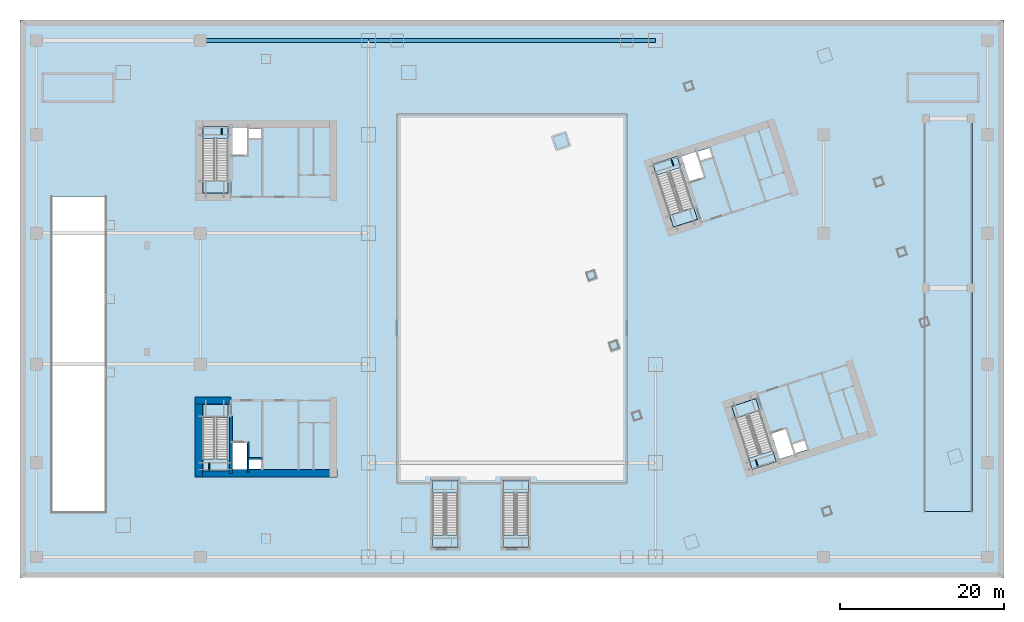
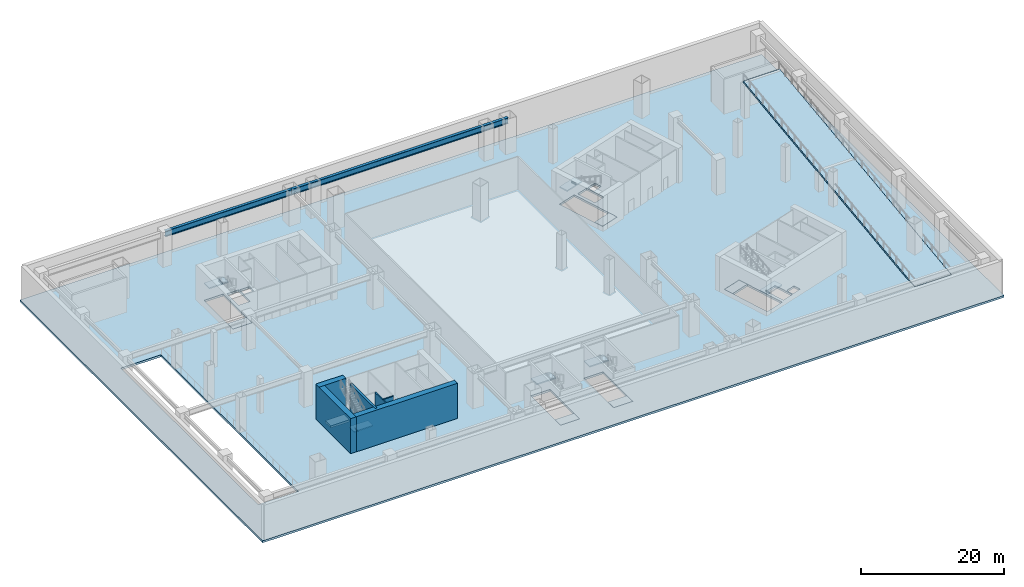
# One storey, part 4 of 20: 14 slabs, 6 beams, 6 walls, 6 elements without a shape of their own.
"""IFC4 building model written with IfcOpenShell, lengths in metres."""

from ifc_helpers import new_model, si_unit, direction, frame, frame_2d, origin, origin_2d, place, context, subcontext, project, spatial, polyline, rectangle, i_section, outline, extrude, material, layer, layer_set, material_profile, profile_set, type_object, element, aggregate, save


model = new_model("IFC4")

# Units and contexts
model_context = context("Model", 3, precision=1e-05, world=origin(), true_north=direction((0.0, 1.0)))
body_context = subcontext(model_context, "Body", "Model", "MODEL_VIEW")
ifc_project = project(units=[si_unit("LENGTHUNIT", "METRE"), si_unit("AREAUNIT", "SQUARE_METRE"), si_unit("VOLUMEUNIT", "CUBIC_METRE"), si_unit("PLANEANGLEUNIT", "RADIAN"), si_unit("MASSUNIT", "GRAM", prefix="KILO")], contexts=[model_context])

# Site, building, storey
site_placement = place(None, origin())
site = spatial("IfcSite", under=ifc_project, at=site_placement, CompositionType="ELEMENT")
building_placement = place(site_placement, origin())
building = spatial("IfcBuilding", under=site, at=building_placement, Name="Qiaolan Cultural Towers", CompositionType="ELEMENT")
storey_placement = place(building_placement, frame((0.0, 0.0, -6.0)))
storey = spatial("IfcBuildingStorey", under=building, at=storey_placement, Name="B1", CompositionType="ELEMENT", Elevation=-6.0)

# Beams
ifc_material_1 = material(Name="Steel Q390GJB", Category="steel")
ifc_material_profile_1 = material_profile(ifc_material_1, i_section(OverallWidth=0.449951171875, OverallDepth=1.0, WebThickness=0.02392578125, FlangeThickness=0.0400390625, at=origin_2d()), Name="BH1000x450x24x40")
ifc_profile_set_1 = profile_set([ifc_material_profile_1], Name="Steel Q390GJB")
beam_type_1 = type_object("IfcBeamType", Name="BM-BH1000x450x24x40", PredefinedType="BEAM", material=ifc_profile_set_1)
beam_1_placement = place(storey_placement, frame((22.0, 65.5, 5.199951171875), z_axis=(1.0, 0.0, 0.0), x_axis=(0.0, 1.0, 0.0)))
element("IfcBeam", 1, at=beam_1_placement, inside=storey, type_object=beam_type_1, Name="B1 Podium Primary Girder Y=65.5", PredefinedType="BEAM", context=body_context, shape_type="SweptSolid", body=[
    extrude(i_section(OverallWidth=0.449951171875, OverallDepth=1.0, WebThickness=0.02392578125, FlangeThickness=0.0400390625, at=origin_2d()), origin(), (0.0, 0.0, 1.0), 20.5),
])
beam_2_placement = place(storey_placement, frame((42.5, 65.5, 5.199951171875), z_axis=(1.0, 0.0, 0.0), x_axis=(0.0, 1.0, 0.0)))
element("IfcBeam", 2, at=beam_2_placement, inside=storey, type_object=beam_type_1, Name="B1 Podium Primary Girder Y=65.5", PredefinedType="BEAM", context=body_context, shape_type="SweptSolid", body=[
    extrude(i_section(OverallWidth=0.449951171875, OverallDepth=1.0, WebThickness=0.02392578125, FlangeThickness=0.0400390625, at=origin_2d()), origin(), (0.0, 0.0, 1.0), 35.0),
])
ifc_material_2 = material(Name="Steel Q355B", Category="steel")
ifc_material_profile_2 = material_profile(ifc_material_2, i_section(OverallWidth=0.10009765625, OverallDepth=0.199951171875, WebThickness=0.005615234375, FlangeThickness=0.008056640625, at=origin_2d()), Name="HN200x100x5.5x8")
ifc_profile_set_2 = profile_set([ifc_material_profile_2], Name="Steel Q355B")
beam_type_2 = type_object("IfcBeamType", Name="BM-STTRIM-200", PredefinedType="BEAM", material=ifc_profile_set_2)
for number, where, z_axis, x_axis, name in (
    (3, (23.070068359375, 14.01123046875, 2.699951171875), (0.0, -1.0, 0.0), (1.0, 0.0, 0.0), "B1 ST-W1 Stair Landing Trimmer 1"),
    (4, (24.610107421875, 53.98876953125, 2.699951171875), (0.0, 1.0, 0.0), (-1.0, 0.0, 0.0), "B1 ST-W2 Stair Landing Trimmer 1"),
    (5, (89.72412109375, 14.364990234375, 2.699951171875), (0.308993090072, -0.951064282942, 0.0), (0.951064282942, 0.308993090072, 0.0), "B1 ST-E1 Stair Landing Trimmer 1"),
    (6, (79.7001953125, 50.19873046875, 2.699951171875), (-0.308993090072, 0.951064282942, 0.0), (-0.951064282942, -0.308993090072, 0.0), "B1 ST-E2 Stair Landing Trimmer 1"),
):
    element("IfcBeam", number, at=place(storey_placement, frame(where, z_axis=z_axis, x_axis=x_axis)), inside=storey, type_object=beam_type_2, Name=name, PredefinedType="BEAM", context=body_context, shape_type="SweptSolid", body=[
        extrude(i_section(OverallWidth=0.10009765625, OverallDepth=0.199951171875, WebThickness=0.005615234375, FlangeThickness=0.008056640625, at=origin_2d()), origin(), (0.0, 0.0, 1.0), 0.831298828125),
    ])

# Slab
ifc_material_3 = material(Name="Concrete C50", Category="concrete")
ifc_layer_1 = layer(ifc_material_3, 0.35009765625)
ifc_layer_set_1 = layer_set([ifc_layer_1], Name="Concrete C50")
slab_type_1 = type_object("IfcSlabType", Name="SL-B1-350", PredefinedType="FLOOR", material=ifc_layer_set_1)
slab_1_placement = place(storey_placement, frame((0.0, 0.0, -0.35009765625)))
element("IfcSlab", 7, at=slab_1_placement, inside=storey, type_object=slab_type_1, Name="B1 Structural Floor Slab", PredefinedType="FLOOR", context=body_context, shape_type="SweptSolid", body=[
    extrude(outline(polyline([(0.0, 0.0), (120.0, 0.0), (120.0, 68.0), (0.0, 68.0), (0.0, 0.0)]), holes=[polyline([(22.300048828125, 21.10009765625), (22.300048828125, 13.0), (25.3798828125, 13.0), (25.3798828125, 21.10009765625), (22.300048828125, 21.10009765625)]), polyline([(25.3798828125, 46.89990234375), (25.3798828125, 55.0), (22.300048828125, 55.0), (22.300048828125, 46.89990234375), (25.3798828125, 46.89990234375)]), polyline([(86.80126953125, 20.868896484375), (89.30419921875, 13.165283203125), (92.2333984375, 14.116943359375), (89.73046875, 21.820556640625), (86.80126953125, 20.868896484375)]), polyline([(82.623046875, 43.69482421875), (80.1201171875, 51.3984375), (77.190673828125, 50.44677734375), (79.69384765625, 42.7431640625), (82.623046875, 43.69482421875)]), polyline([(53.39990234375, 3.60009765625), (53.39990234375, 11.89990234375), (50.300048828125, 11.89990234375), (50.300048828125, 3.60009765625), (53.39990234375, 3.60009765625)]), polyline([(62.0, 3.60009765625), (62.0, 11.89990234375), (58.89990234375, 11.89990234375), (58.89990234375, 3.60009765625), (62.0, 3.60009765625)]), polyline([(25.89990234375, 13.199951171875), (27.75, 13.199951171875), (27.75, 16.449951171875), (25.89990234375, 16.449951171875), (25.89990234375, 13.199951171875)]), polyline([(27.93994140625, 13.25), (29.449951171875, 13.25), (29.449951171875, 14.419921875), (27.93994140625, 14.419921875), (27.93994140625, 13.25)]), polyline([(25.89990234375, 51.550048828125), (27.75, 51.550048828125), (27.75, 54.800048828125), (25.89990234375, 54.800048828125), (25.89990234375, 51.550048828125)]), polyline([(27.93994140625, 53.580078125), (29.449951171875, 53.580078125), (29.449951171875, 54.75), (27.93994140625, 54.75), (27.93994140625, 53.580078125)]), polyline([(92.666259765625, 14.468017578125), (94.42578125, 15.03955078125), (93.42138671875, 18.130615234375), (91.661865234375, 17.558837890625), (92.666259765625, 14.468017578125)]), polyline([(94.5908203125, 15.14599609375), (96.027099609375, 15.612548828125), (95.66552734375, 16.725341796875), (94.2294921875, 16.258544921875), (94.5908203125, 15.14599609375)]), polyline([(81.6806640625, 48.278076171875), (83.440185546875, 48.849609375), (82.435791015625, 51.940673828125), (80.67626953125, 51.368896484375), (81.6806640625, 48.278076171875)]), polyline([(82.993408203125, 50.839111328125), (84.4296875, 51.3056640625), (84.068115234375, 52.41845703125), (82.632080078125, 51.95166015625), (82.993408203125, 50.839111328125)]), polyline([(3.89990234375, 8.0), (10.39990234375, 8.0), (10.39990234375, 46.5), (3.89990234375, 46.5), (3.89990234375, 8.0)])]), origin(), (0.0, 0.0, 1.0), 0.35009765625),
])

# Stair, slab
ifc_material_4 = material(Name="Concrete C45", Category="concrete")
stair_type_1 = type_object("IfcStairType", Name="STR-CORE-1500", PredefinedType="HALF_TURN_STAIR", material=ifc_material_4)
stair_1_placement = place(storey_placement, origin())
stair_1 = element("IfcStair", 8, at=stair_1_placement, inside=storey, type_object=stair_type_1, Name="B1 Smokeproof Exit Stair ST-W1", PredefinedType="HALF_TURN_STAIR")
ifc_material_5 = material(Name="Concrete C45", Category="concrete")
ifc_layer_2 = layer(ifc_material_5, 0.199951171875)
ifc_layer_set_2 = layer_set([ifc_layer_2], Name="Concrete C45")
slab_type_2 = type_object("IfcSlabType", Name="SL-STAIR-LAND", PredefinedType="LANDING", material=ifc_layer_set_2)
slab_2_placement = place(storey_placement, frame((0.0, 0.0, 2.800048828125)))
slab_2 = element("IfcSlab", 9, at=slab_2_placement, type_object=slab_type_2, Name="ST-W1 landing 1", PredefinedType="LANDING", context=body_context, shape_type="SweptSolid", body=[
    extrude(outline(polyline([(22.300048828125, 14.451416015625), (22.300048828125, 13.0), (25.3798828125, 13.0), (25.3798828125, 14.451416015625), (22.300048828125, 14.451416015625)])), origin(), (0.0, 0.0, 1.0), 0.199951171875),
])
aggregate(stair_1, [slab_2])

stair_2_placement = place(storey_placement, origin())
stair_2 = element("IfcStair", 10, at=stair_2_placement, inside=storey, type_object=stair_type_1, Name="B1 Smokeproof Exit Stair ST-W2", PredefinedType="HALF_TURN_STAIR")
slab_3_placement = place(storey_placement, frame((0.0, 0.0, 2.800048828125)))
slab_3 = element("IfcSlab", 11, at=slab_3_placement, type_object=slab_type_2, Name="ST-W2 landing 1", PredefinedType="LANDING", context=body_context, shape_type="SweptSolid", body=[
    extrude(outline(polyline([(25.3798828125, 53.548583984375), (25.3798828125, 55.0), (22.300048828125, 55.0), (22.300048828125, 53.548583984375), (25.3798828125, 53.548583984375)])), origin(), (0.0, 0.0, 1.0), 0.199951171875),
])
aggregate(stair_2, [slab_3])

stair_3_placement = place(storey_placement, origin())
stair_3 = element("IfcStair", 12, at=stair_3_placement, inside=storey, type_object=stair_type_1, Name="B1 Smokeproof Exit Stair ST-E1", PredefinedType="HALF_TURN_STAIR")
slab_4_placement = place(storey_placement, frame((0.0, 0.0, 2.800048828125)))
slab_4 = element("IfcSlab", 13, at=slab_4_placement, type_object=slab_type_2, Name="ST-E1 landing 1", PredefinedType="LANDING", context=body_context, shape_type="SweptSolid", body=[
    extrude(outline(polyline([(88.855712890625, 14.545654296875), (89.30419921875, 13.165283203125), (92.2333984375, 14.116943359375), (91.784912109375, 15.497314453125), (88.855712890625, 14.545654296875)])), origin(), (0.0, 0.0, 1.0), 0.199951171875),
])
aggregate(stair_3, [slab_4])

stair_4_placement = place(storey_placement, origin())
stair_4 = element("IfcStair", 14, at=stair_4_placement, inside=storey, type_object=stair_type_1, Name="B1 Smokeproof Exit Stair ST-E2", PredefinedType="HALF_TURN_STAIR")
slab_5_placement = place(storey_placement, frame((0.0, 0.0, 2.800048828125)))
slab_5 = element("IfcSlab", 15, at=slab_5_placement, type_object=slab_type_2, Name="ST-E2 landing 1", PredefinedType="LANDING", context=body_context, shape_type="SweptSolid", body=[
    extrude(outline(polyline([(80.568603515625, 50.018310546875), (80.1201171875, 51.3984375), (77.190673828125, 50.44677734375), (77.63916015625, 49.06640625), (80.568603515625, 50.018310546875)])), origin(), (0.0, 0.0, 1.0), 0.199951171875),
])
aggregate(stair_4, [slab_5])

ifc_material_6 = material(Name="Concrete C45", Category="concrete")
stair_type_2 = type_object("IfcStairType", Name="STR-MET-1800", PredefinedType="HALF_TURN_STAIR", material=ifc_material_6)
stair_5_placement = place(storey_placement, origin())
stair_5 = element("IfcStair", 16, at=stair_5_placement, inside=storey, type_object=stair_type_2, Name="B1 Metro Concourse West Exit Stair ST-M1", PredefinedType="HALF_TURN_STAIR")
slab_6_placement = place(storey_placement, frame((0.0, 0.0, 2.800048828125)))
slab_6 = element("IfcSlab", 17, at=slab_6_placement, type_object=slab_type_2, Name="ST-M1 landing 1", PredefinedType="LANDING", context=body_context, shape_type="SweptSolid", body=[
    extrude(outline(polyline([(53.39990234375, 10.298583984375), (53.39990234375, 11.89990234375), (50.300048828125, 11.89990234375), (50.300048828125, 10.298583984375), (53.39990234375, 10.298583984375)])), origin(), (0.0, 0.0, 1.0), 0.199951171875),
])
aggregate(stair_5, [slab_6])

stair_6_placement = place(storey_placement, origin())
stair_6 = element("IfcStair", 18, at=stair_6_placement, inside=storey, type_object=stair_type_2, Name="B1 Metro Concourse East Exit Stair ST-M2", PredefinedType="HALF_TURN_STAIR")
slab_7_placement = place(storey_placement, frame((0.0, 0.0, 2.800048828125)))
slab_7 = element("IfcSlab", 19, at=slab_7_placement, type_object=slab_type_2, Name="ST-M2 landing 1", PredefinedType="LANDING", context=body_context, shape_type="SweptSolid", body=[
    extrude(outline(polyline([(62.0, 10.298583984375), (62.0, 11.89990234375), (58.89990234375, 11.89990234375), (58.89990234375, 10.298583984375), (62.0, 10.298583984375)])), origin(), (0.0, 0.0, 1.0), 0.199951171875),
])
aggregate(stair_6, [slab_7])

# Slabs
ifc_material_7 = material(Name="Concrete C40", Category="concrete")
ifc_layer_3 = layer(ifc_material_7, 0.360107421875)
ifc_layer_set_3 = layer_set([ifc_layer_3], Name="Concrete C40")
slab_type_3 = type_object("IfcSlabType", Name="SL-STFLR-360", PredefinedType="LANDING", material=ifc_layer_set_3)
slab_8_placement = place(storey_placement, frame((0.0, 0.0, -0.360107421875)))
element("IfcSlab", 20, at=slab_8_placement, inside=storey, type_object=slab_type_3, Name="B1 ST-W1 Stair Floor Landing Slab", PredefinedType="LANDING", context=body_context, shape_type="SweptSolid", body=[
    extrude(outline(polyline([(22.302001953125, 21.097900390625), (22.302001953125, 19.548583984375), (25.3779296875, 19.548583984375), (25.3779296875, 21.097900390625), (22.302001953125, 21.097900390625)])), origin(), (0.0, 0.0, 1.0), 0.360107421875),
])
slab_9_placement = place(storey_placement, frame((0.0, 0.0, -0.360107421875)))
element("IfcSlab", 21, at=slab_9_placement, inside=storey, type_object=slab_type_3, Name="B1 ST-W2 Stair Floor Landing Slab", PredefinedType="LANDING", context=body_context, shape_type="SweptSolid", body=[
    extrude(outline(polyline([(25.3779296875, 46.902099609375), (25.3779296875, 48.451416015625), (22.302001953125, 48.451416015625), (22.302001953125, 46.902099609375), (25.3779296875, 46.902099609375)])), origin(), (0.0, 0.0, 1.0), 0.360107421875),
])
slab_10_placement = place(storey_placement, frame((0.0, 0.0, -0.360107421875)))
element("IfcSlab", 22, at=slab_10_placement, inside=storey, type_object=slab_type_3, Name="B1 ST-E1 Stair Floor Landing Slab", PredefinedType="LANDING", context=body_context, shape_type="SweptSolid", body=[
    extrude(outline(polyline([(86.8037109375, 20.867431640625), (87.282470703125, 19.39404296875), (90.2080078125, 20.3447265625), (89.729248046875, 21.818115234375), (86.8037109375, 20.867431640625)])), origin(), (0.0, 0.0, 1.0), 0.360107421875),
])
slab_11_placement = place(storey_placement, frame((0.0, 0.0, -0.360107421875)))
element("IfcSlab", 23, at=slab_11_placement, inside=storey, type_object=slab_type_3, Name="B1 ST-E2 Stair Floor Landing Slab", PredefinedType="LANDING", context=body_context, shape_type="SweptSolid", body=[
    extrude(outline(polyline([(82.62060546875, 43.6962890625), (82.141845703125, 45.169677734375), (79.21630859375, 44.21923828125), (79.695068359375, 42.74560546875), (82.62060546875, 43.6962890625)])), origin(), (0.0, 0.0, 1.0), 0.360107421875),
])
slab_12_placement = place(storey_placement, frame((0.0, 0.0, -0.360107421875)))
element("IfcSlab", 24, at=slab_12_placement, inside=storey, type_object=slab_type_3, Name="B1 ST-M1 Stair Floor Landing Slab", PredefinedType="LANDING", context=body_context, shape_type="SweptSolid", body=[
    extrude(outline(polyline([(53.39794921875, 3.60205078125), (53.39794921875, 5.201416015625), (50.302001953125, 5.201416015625), (50.302001953125, 3.60205078125), (53.39794921875, 3.60205078125)])), origin(), (0.0, 0.0, 1.0), 0.360107421875),
])
slab_13_placement = place(storey_placement, frame((0.0, 0.0, -0.360107421875)))
element("IfcSlab", 25, at=slab_13_placement, inside=storey, type_object=slab_type_3, Name="B1 ST-M2 Stair Floor Landing Slab", PredefinedType="LANDING", context=body_context, shape_type="SweptSolid", body=[
    extrude(outline(polyline([(61.998046875, 3.60205078125), (61.998046875, 5.201416015625), (58.902099609375, 5.201416015625), (58.902099609375, 3.60205078125), (61.998046875, 3.60205078125)])), origin(), (0.0, 0.0, 1.0), 0.360107421875),
])
ifc_material_8 = material(Name="Concrete C45", Category="concrete")
ifc_layer_4 = layer(ifc_material_8, 0.300048828125)
ifc_layer_set_4 = layer_set([ifc_layer_4], Name="Concrete C45")
slab_type_4 = type_object("IfcSlabType", Name="SL-VRAMP-300", PredefinedType="USERDEFINED", material=ifc_layer_set_4)
slab_14_placement = place(storey_placement, frame((110.25, 8.050048828125, 0.0), z_axis=(0.0, -0.123654497811, 0.992325332324), x_axis=(1.0, 0.0, 0.0)))
element("IfcSlab", 26, at=slab_14_placement, inside=storey, type_object=slab_type_4, Name="B1-L00 Structural Vehicle Ramp Slab VR-02 (Concrete C45)", ObjectType="VEHICLE_RAMP", PredefinedType="USERDEFINED", context=body_context, shape_type="SweptSolid", body=[
    extrude(outline(polyline([(0.0, 0.0), (5.89990234375, 0.0), (5.89990234375, 48.52229483147578), (0.0, 48.52229483147578), (0.0, 0.0)])), origin(), (0.0, 0.0, -1.0), 0.300048828125),
])

# Walls
ifc_material_9 = material(Name="Concrete C50", Category="concrete")
ifc_layer_5 = layer(ifc_material_9, 0.35009765625)
ifc_layer_set_5 = layer_set([ifc_layer_5], Name="Concrete C50")
wall_type_1 = type_object("IfcWallType", Name="WL-CORE-350", PredefinedType="SHEAR", material=ifc_layer_set_5)
wall_1_placement = place(storey_placement, frame((25.719970703125, 19.699951171875, 0.0), z_axis=(0.0, 0.0, 1.0), x_axis=(0.0, -1.0, 0.0)))
element("IfcWall", 27, at=wall_1_placement, inside=storey, type_object=wall_type_1, Name="B1 T1-CS Stair Core Dividing Web", PredefinedType="SHEAR", context=body_context, shape_type="SweptSolid", body=[
    extrude(rectangle(XDim=6.97998046875, YDim=0.35009765625, at=frame_2d((3.489990234375, 0.0))), origin(), (0.0, 0.0, 1.0), 6.0),
])
ifc_material_10 = material(Name="Concrete C60", Category="concrete")
ifc_layer_6 = layer(ifc_material_10, 0.89990234375)
ifc_layer_set_6 = layer_set([ifc_layer_6], Name="Concrete C60")
wall_type_2 = type_object("IfcWallType", Name="WL-CORE-900", PredefinedType="SHEAR", material=ifc_layer_set_6)
wall_2_placement = place(storey_placement, frame((21.35009765625, 12.719970703125, 0.0), z_axis=(0.0, 0.0, 1.0), x_axis=(1.0, 0.0, 0.0)))
element("IfcWall", 28, at=wall_2_placement, inside=storey, type_object=wall_type_2, Name="B1 T1-CS Outer Core Shear Wall", PredefinedType="SHEAR", context=body_context, shape_type="SweptSolid", body=[
    extrude(rectangle(XDim=17.2998046875, YDim=0.89990234375, at=frame_2d((8.64990234375, 0.0))), origin(), (0.0, 0.0, 1.0), 6.0),
])
wall_3_placement = place(storey_placement, frame((21.800048828125, 22.050048828125, 0.0), z_axis=(0.0, 0.0, 1.0), x_axis=(0.0, -1.0, 0.0)))
element("IfcWall", 29, at=wall_3_placement, inside=storey, type_object=wall_type_2, Name="B1 T1-CS West Core Shear Wall", PredefinedType="SHEAR", context=body_context, shape_type="SweptSolid", body=[
    extrude(rectangle(XDim=9.780029296875, YDim=0.89990234375, at=frame_2d((4.89013671875, 0.0))), origin(), (0.0, 0.0, 1.0), 6.0),
])
wall_4_placement = place(storey_placement, frame((21.35009765625, 21.60009765625, 0.0), z_axis=(0.0, 0.0, 1.0), x_axis=(1.0, 0.0, 0.0)))
element("IfcWall", 30, at=wall_4_placement, inside=storey, type_object=wall_type_2, Name="B1 T1-CS Stair Front Shear Wall", PredefinedType="SHEAR", context=body_context, shape_type="SweptSolid", body=[
    extrude(rectangle(XDim=4.369873046875, YDim=0.89990234375, at=frame_2d((2.18505859375, 0.0))), origin(), (0.0, 0.0, 1.0), 6.0),
])
ifc_material_11 = material(Name="Concrete C35 Fire Wall", Category="concrete")
ifc_layer_7 = layer(ifc_material_11, 0.199951171875)
ifc_layer_set_7 = layer_set([ifc_layer_7], Name="Concrete C35 Fire Wall")
wall_type_3 = type_object("IfcWallType", Name="WL-FIRE-200", PredefinedType="PARTITIONING", material=ifc_layer_set_7)
wall_5_placement = place(storey_placement, frame((27.820068359375, 16.550048828125, 0.0), z_axis=(0.0, 0.0, 1.0), x_axis=(0.0, -1.0, 0.0)))
element("IfcWall", 31, at=wall_5_placement, inside=storey, type_object=wall_type_3, Name="B1 T1-CS Firefighting Hoistway East Wall", PredefinedType="PARTITIONING", context=body_context, shape_type="SweptSolid", body=[
    extrude(rectangle(XDim=3.699951171875, YDim=0.199951171875, at=frame_2d((1.85009765625, 0.0))), origin(), (0.0, 0.0, 1.0), 5.68505859375),
])
wall_6_placement = place(storey_placement, frame((27.820068359375, 14.52001953125, 0.0), z_axis=(0.0, 0.0, 1.0), x_axis=(1.0, 0.0, 0.0)))
element("IfcWall", 32, at=wall_6_placement, inside=storey, type_object=wall_type_3, Name="B1 T1-CS Pressurization Shaft Front Wall", PredefinedType="PARTITIONING", context=body_context, shape_type="SweptSolid", body=[
    extrude(rectangle(XDim=1.72998046875, YDim=0.199951171875, at=frame_2d((0.864990234375, 0.0))), origin(), (0.0, 0.0, 1.0), 5.68505859375),
])

save(model, "model.ifc")
